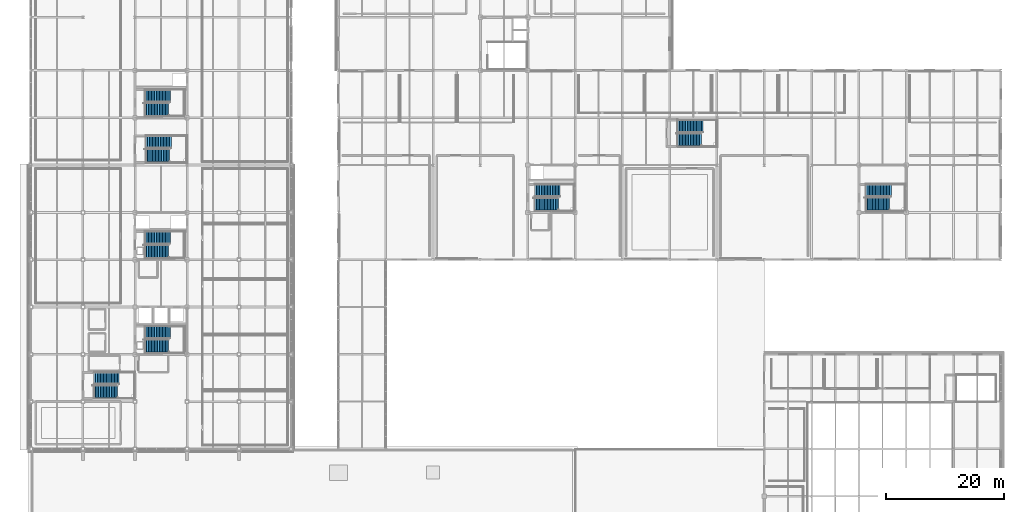
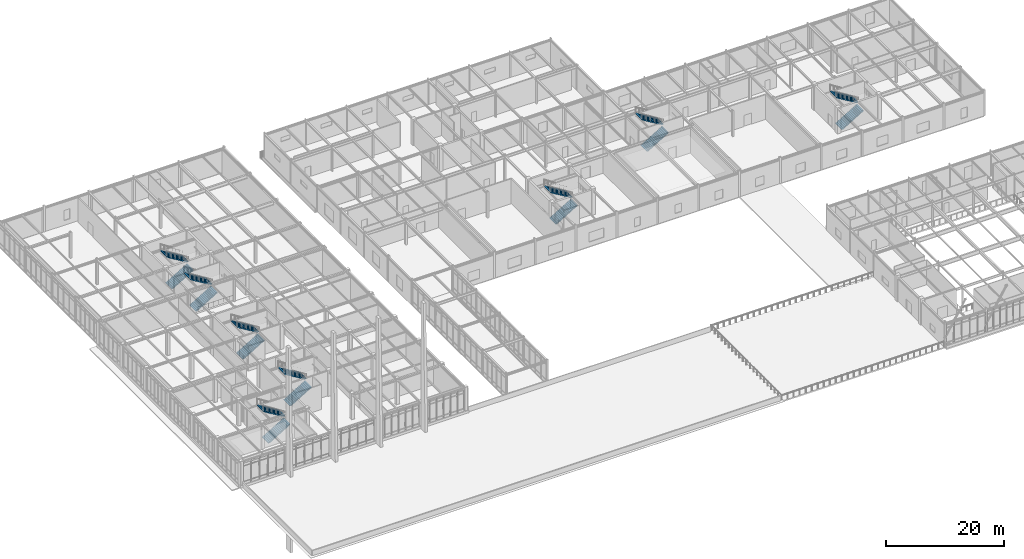
# One storey, part 96 of 108: 16 stair flights, 8 elements without a shape of their own.
"""IFC4 building model written with IfcOpenShell, lengths in metres."""

from ifc_helpers import new_model, si_unit, direction, frame, origin, place, context, subcontext, project, spatial, polyline, outline, extrude, material, type_object, element, aggregate, save


model = new_model("IFC4")

# Units and contexts
model_context = context("Model", 3, precision=1e-05, world=origin(), true_north=direction((0.0, 1.0)))
body_context = subcontext(model_context, "Body", "Model", "MODEL_VIEW")
ifc_project = project(units=[si_unit("LENGTHUNIT", "METRE"), si_unit("AREAUNIT", "SQUARE_METRE"), si_unit("VOLUMEUNIT", "CUBIC_METRE"), si_unit("PLANEANGLEUNIT", "RADIAN"), si_unit("MASSUNIT", "GRAM", prefix="KILO")], contexts=[model_context])

# Site, building, storey
site_placement = place(None, origin())
site = spatial("IfcSite", under=ifc_project, at=site_placement, CompositionType="ELEMENT")
building_placement = place(site_placement, origin())
building = spatial("IfcBuilding", under=site, at=building_placement, Name="Zhaolan Boulevard Law Courts", CompositionType="ELEMENT")
storey_placement = place(building_placement, frame((0.0, 0.0, 10.800048828125)))
storey = spatial("IfcBuildingStorey", under=building, at=storey_placement, Name="L02", CompositionType="ELEMENT", Elevation=10.800048828125)

# Stair, stair flights
ifc_material_1 = material(Name="Concrete C40", Category="concrete")
stair_type_1 = type_object("IfcStairType", Name="HALF TURN STAIR 54 A", PredefinedType="HALF_TURN_STAIR", material=ifc_material_1)
stair_1_placement = place(storey_placement, origin())
stair_1 = element("IfcStair", 1, at=stair_1_placement, inside=storey, type_object=stair_type_1, Name="Stair ST03-L02", PredefinedType="HALF_TURN_STAIR")
ifc_material_2 = material(Name="Concrete C40", Category="concrete")
stair_flight_type_1 = type_object("IfcStairFlightType", Name="STAIR FLIGHT 54 A", PredefinedType="STRAIGHT", material=ifc_material_2)
stair_flight_1_placement = place(storey_placement, frame((10.39990234375, 39.7451171875, 0.0), z_axis=(0.0, 0.0, 1.0), x_axis=(1.0, 0.0, 0.0)))
stair_flight_1 = element("IfcStairFlight", 2, at=stair_flight_1_placement, type_object=stair_flight_type_1, Name="Stair Flight ST03-L02-F1", NumberOfRisers=17, NumberOfTreads=16, PredefinedType="STRAIGHT", RiserHeight=0.158823529, TreadLength=0.265, context=body_context, shape_type="SweptSolid", body=[
    extrude(outline(polyline([(0.0, 0.0), (0.0, 0.158935546875), (0.264892578125, 0.158935546875), (0.264892578125, 0.317626953125), (0.530029296875, 0.317626953125), (0.530029296875, 0.4765625), (0.794921875, 0.4765625), (0.794921875, 0.63525390625), (1.06005859375, 0.63525390625), (1.06005859375, 0.794189453125), (1.324951171875, 0.794189453125), (1.324951171875, 0.952880859375), (1.590087890625, 0.952880859375), (1.590087890625, 1.11181640625), (1.85498046875, 1.11181640625), (1.85498046875, 1.2705078125), (2.1201171875, 1.2705078125), (2.1201171875, 1.429443359375), (2.385009765625, 1.429443359375), (2.385009765625, 1.588134765625), (2.64990234375, 1.588134765625), (2.64990234375, 1.7470703125), (2.9150390625, 1.7470703125), (2.9150390625, 1.90576171875), (3.179931640625, 1.90576171875), (3.179931640625, 2.064697265625), (3.445068359375, 2.064697265625), (3.445068359375, 2.2236328125), (3.7099609375, 2.2236328125), (3.7099609375, 2.38232421875), (3.97509765625, 2.38232421875), (3.97509765625, 2.541259765625), (4.239990234375, 2.541259765625), (4.239990234375, 2.699951171875), (4.239990234375, 2.354736328125), (0.31103515625, 0.0), (0.0, 0.0)])), frame((0.0, 1.06494140625, 0.0), z_axis=(0.0, -1.0, 0.0), x_axis=(1.0, 0.0, 0.0)), (0.0, 0.0, 1.0), 2.1298828125),
])
stair_flight_2_placement = place(storey_placement, frame((14.925048828125, 41.97509765625, 2.699951171875), z_axis=(0.0, 0.0, 1.0), x_axis=(-1.0, 0.0, 0.0)))
stair_flight_2 = element("IfcStairFlight", 3, at=stair_flight_2_placement, type_object=stair_flight_type_1, Name="Stair Flight ST03-L02-F2", NumberOfRisers=17, NumberOfTreads=16, PredefinedType="STRAIGHT", RiserHeight=0.158823529, TreadLength=0.265, context=body_context, shape_type="SweptSolid", body=[
    extrude(outline(polyline([(0.0, 0.0), (0.0, 0.158935546875), (0.264892578125, 0.158935546875), (0.264892578125, 0.317626953125), (0.530029296875, 0.317626953125), (0.530029296875, 0.4765625), (0.794921875, 0.4765625), (0.794921875, 0.63525390625), (1.06005859375, 0.63525390625), (1.06005859375, 0.794189453125), (1.324951171875, 0.794189453125), (1.324951171875, 0.952880859375), (1.590087890625, 0.952880859375), (1.590087890625, 1.11181640625), (1.85498046875, 1.11181640625), (1.85498046875, 1.2705078125), (2.1201171875, 1.2705078125), (2.1201171875, 1.429443359375), (2.385009765625, 1.429443359375), (2.385009765625, 1.588134765625), (2.64990234375, 1.588134765625), (2.64990234375, 1.7470703125), (2.9150390625, 1.7470703125), (2.9150390625, 1.90576171875), (3.179931640625, 1.90576171875), (3.179931640625, 2.064697265625), (3.445068359375, 2.064697265625), (3.445068359375, 2.2236328125), (3.7099609375, 2.2236328125), (3.7099609375, 2.38232421875), (3.97509765625, 2.38232421875), (3.97509765625, 2.541259765625), (4.239990234375, 2.541259765625), (4.239990234375, 2.699951171875), (4.239990234375, 2.354736328125), (0.31103515625, 0.0), (0.0, 0.0)])), frame((0.0, 1.06494140625, 0.0), z_axis=(0.0, -1.0, 0.0), x_axis=(1.0, 0.0, 0.0)), (0.0, 0.0, 1.0), 2.1298828125),
])
aggregate(stair_1, [stair_flight_1, stair_flight_2])

stair_2_placement = place(storey_placement, origin())
stair_2 = element("IfcStair", 4, at=stair_2_placement, inside=storey, type_object=stair_type_1, Name="Stair ST08-L02", PredefinedType="HALF_TURN_STAIR")
stair_flight_3_placement = place(storey_placement, frame((84.949951171875, 71.445068359375, 0.0), z_axis=(0.0, 0.0, 1.0), x_axis=(1.0, 0.0, 0.0)))
stair_flight_3 = element("IfcStairFlight", 5, at=stair_flight_3_placement, type_object=stair_flight_type_1, Name="Stair Flight ST08-L02-F1", NumberOfRisers=17, NumberOfTreads=16, PredefinedType="STRAIGHT", RiserHeight=0.158823529, TreadLength=0.265, context=body_context, shape_type="SweptSolid", body=[
    extrude(outline(polyline([(0.0, 0.0), (0.0, 0.158935546875), (0.264892578125, 0.158935546875), (0.264892578125, 0.317626953125), (0.530029296875, 0.317626953125), (0.530029296875, 0.4765625), (0.794921875, 0.4765625), (0.794921875, 0.63525390625), (1.06005859375, 0.63525390625), (1.06005859375, 0.794189453125), (1.324951171875, 0.794189453125), (1.324951171875, 0.952880859375), (1.590087890625, 0.952880859375), (1.590087890625, 1.11181640625), (1.85498046875, 1.11181640625), (1.85498046875, 1.2705078125), (2.1201171875, 1.2705078125), (2.1201171875, 1.429443359375), (2.385009765625, 1.429443359375), (2.385009765625, 1.588134765625), (2.64990234375, 1.588134765625), (2.64990234375, 1.7470703125), (2.9150390625, 1.7470703125), (2.9150390625, 1.90576171875), (3.179931640625, 1.90576171875), (3.179931640625, 2.064697265625), (3.445068359375, 2.064697265625), (3.445068359375, 2.2236328125), (3.7099609375, 2.2236328125), (3.7099609375, 2.38232421875), (3.97509765625, 2.38232421875), (3.97509765625, 2.541259765625), (4.239990234375, 2.541259765625), (4.239990234375, 2.699951171875), (4.239990234375, 2.354736328125), (0.31103515625, 0.0), (0.0, 0.0)])), frame((0.0, 1.06494140625, 0.0), z_axis=(0.0, -1.0, 0.0), x_axis=(1.0, 0.0, 0.0)), (0.0, 0.0, 1.0), 2.1298828125),
])
stair_flight_4_placement = place(storey_placement, frame((89.47509765625, 73.675048828125, 2.699951171875), z_axis=(0.0, 0.0, 1.0), x_axis=(-1.0, 0.0, 0.0)))
stair_flight_4 = element("IfcStairFlight", 6, at=stair_flight_4_placement, type_object=stair_flight_type_1, Name="Stair Flight ST08-L02-F2", NumberOfRisers=17, NumberOfTreads=16, PredefinedType="STRAIGHT", RiserHeight=0.158823529, TreadLength=0.265, context=body_context, shape_type="SweptSolid", body=[
    extrude(outline(polyline([(0.0, 0.0), (0.0, 0.158935546875), (0.264892578125, 0.158935546875), (0.264892578125, 0.317626953125), (0.530029296875, 0.317626953125), (0.530029296875, 0.4765625), (0.794921875, 0.4765625), (0.794921875, 0.63525390625), (1.06005859375, 0.63525390625), (1.06005859375, 0.794189453125), (1.324951171875, 0.794189453125), (1.324951171875, 0.952880859375), (1.590087890625, 0.952880859375), (1.590087890625, 1.11181640625), (1.85498046875, 1.11181640625), (1.85498046875, 1.2705078125), (2.1201171875, 1.2705078125), (2.1201171875, 1.429443359375), (2.385009765625, 1.429443359375), (2.385009765625, 1.588134765625), (2.64990234375, 1.588134765625), (2.64990234375, 1.7470703125), (2.9150390625, 1.7470703125), (2.9150390625, 1.90576171875), (3.179931640625, 1.90576171875), (3.179931640625, 2.064697265625), (3.445068359375, 2.064697265625), (3.445068359375, 2.2236328125), (3.7099609375, 2.2236328125), (3.7099609375, 2.38232421875), (3.97509765625, 2.38232421875), (3.97509765625, 2.541259765625), (4.239990234375, 2.541259765625), (4.239990234375, 2.699951171875), (4.239990234375, 2.354736328125), (0.31103515625, 0.0), (0.0, 0.0)])), frame((0.0, 1.06494140625, 0.0), z_axis=(0.0, -1.0, 0.0), x_axis=(1.0, 0.0, 0.0)), (0.0, 0.0, 1.0), 2.1298828125),
])
aggregate(stair_2, [stair_flight_3, stair_flight_4])

stair_3_placement = place(storey_placement, origin())
stair_3 = element("IfcStair", 7, at=stair_3_placement, inside=storey, type_object=stair_type_1, Name="Stair ST10-L02", PredefinedType="HALF_TURN_STAIR")
stair_flight_5_placement = place(storey_placement, frame((19.050048828125, 87.445068359375, 0.0), z_axis=(0.0, 0.0, 1.0), x_axis=(1.0, 0.0, 0.0)))
stair_flight_5 = element("IfcStairFlight", 8, at=stair_flight_5_placement, type_object=stair_flight_type_1, Name="Stair Flight ST10-L02-F1", NumberOfRisers=17, NumberOfTreads=16, PredefinedType="STRAIGHT", RiserHeight=0.158823529, TreadLength=0.265, context=body_context, shape_type="SweptSolid", body=[
    extrude(outline(polyline([(0.0, 0.0), (0.0, 0.158935546875), (0.264892578125, 0.158935546875), (0.264892578125, 0.317626953125), (0.530029296875, 0.317626953125), (0.530029296875, 0.4765625), (0.794921875, 0.4765625), (0.794921875, 0.63525390625), (1.06005859375, 0.63525390625), (1.06005859375, 0.794189453125), (1.324951171875, 0.794189453125), (1.324951171875, 0.952880859375), (1.590087890625, 0.952880859375), (1.590087890625, 1.11181640625), (1.85498046875, 1.11181640625), (1.85498046875, 1.2705078125), (2.1201171875, 1.2705078125), (2.1201171875, 1.429443359375), (2.385009765625, 1.429443359375), (2.385009765625, 1.588134765625), (2.64990234375, 1.588134765625), (2.64990234375, 1.7470703125), (2.9150390625, 1.7470703125), (2.9150390625, 1.90576171875), (3.179931640625, 1.90576171875), (3.179931640625, 2.064697265625), (3.445068359375, 2.064697265625), (3.445068359375, 2.2236328125), (3.7099609375, 2.2236328125), (3.7099609375, 2.38232421875), (3.97509765625, 2.38232421875), (3.97509765625, 2.541259765625), (4.239990234375, 2.541259765625), (4.239990234375, 2.699951171875), (4.239990234375, 2.354736328125), (0.31103515625, 0.0), (0.0, 0.0)])), frame((0.0, 1.06494140625, 0.0), z_axis=(0.0, -1.0, 0.0), x_axis=(1.0, 0.0, 0.0)), (0.0, 0.0, 1.0), 2.1298828125),
])
stair_flight_6_placement = place(storey_placement, frame((23.574951171875, 89.675048828125, 2.699951171875), z_axis=(0.0, 0.0, 1.0), x_axis=(-1.0, 0.0, 0.0)))
stair_flight_6 = element("IfcStairFlight", 9, at=stair_flight_6_placement, type_object=stair_flight_type_1, Name="Stair Flight ST10-L02-F2", NumberOfRisers=17, NumberOfTreads=16, PredefinedType="STRAIGHT", RiserHeight=0.158823529, TreadLength=0.265, context=body_context, shape_type="SweptSolid", body=[
    extrude(outline(polyline([(0.0, 0.0), (0.0, 0.158935546875), (0.264892578125, 0.158935546875), (0.264892578125, 0.317626953125), (0.530029296875, 0.317626953125), (0.530029296875, 0.4765625), (0.794921875, 0.4765625), (0.794921875, 0.63525390625), (1.06005859375, 0.63525390625), (1.06005859375, 0.794189453125), (1.324951171875, 0.794189453125), (1.324951171875, 0.952880859375), (1.590087890625, 0.952880859375), (1.590087890625, 1.11181640625), (1.85498046875, 1.11181640625), (1.85498046875, 1.2705078125), (2.1201171875, 1.2705078125), (2.1201171875, 1.429443359375), (2.385009765625, 1.429443359375), (2.385009765625, 1.588134765625), (2.64990234375, 1.588134765625), (2.64990234375, 1.7470703125), (2.9150390625, 1.7470703125), (2.9150390625, 1.90576171875), (3.179931640625, 1.90576171875), (3.179931640625, 2.064697265625), (3.445068359375, 2.064697265625), (3.445068359375, 2.2236328125), (3.7099609375, 2.2236328125), (3.7099609375, 2.38232421875), (3.97509765625, 2.38232421875), (3.97509765625, 2.541259765625), (4.239990234375, 2.541259765625), (4.239990234375, 2.699951171875), (4.239990234375, 2.354736328125), (0.31103515625, 0.0), (0.0, 0.0)])), frame((0.0, 1.06494140625, 0.0), z_axis=(0.0, -1.0, 0.0), x_axis=(1.0, 0.0, 0.0)), (0.0, 0.0, 1.0), 2.1298828125),
])
aggregate(stair_3, [stair_flight_5, stair_flight_6])

stair_4_placement = place(storey_placement, origin())
stair_4 = element("IfcStair", 10, at=stair_4_placement, inside=storey, type_object=stair_type_1, Name="Stair ST13-L02", PredefinedType="HALF_TURN_STAIR")
stair_flight_7_placement = place(storey_placement, frame((109.10009765625, 82.344970703125, 0.0), z_axis=(0.0, 0.0, 1.0), x_axis=(1.0, 0.0, 0.0)))
stair_flight_7 = element("IfcStairFlight", 11, at=stair_flight_7_placement, type_object=stair_flight_type_1, Name="Stair Flight ST13-L02-F1", NumberOfRisers=17, NumberOfTreads=16, PredefinedType="STRAIGHT", RiserHeight=0.158823529, TreadLength=0.265, context=body_context, shape_type="SweptSolid", body=[
    extrude(outline(polyline([(0.0, 0.0), (0.0, 0.158935546875), (0.264892578125, 0.158935546875), (0.264892578125, 0.317626953125), (0.530029296875, 0.317626953125), (0.530029296875, 0.4765625), (0.794921875, 0.4765625), (0.794921875, 0.63525390625), (1.06005859375, 0.63525390625), (1.06005859375, 0.794189453125), (1.324951171875, 0.794189453125), (1.324951171875, 0.952880859375), (1.590087890625, 0.952880859375), (1.590087890625, 1.11181640625), (1.85498046875, 1.11181640625), (1.85498046875, 1.2705078125), (2.1201171875, 1.2705078125), (2.1201171875, 1.429443359375), (2.385009765625, 1.429443359375), (2.385009765625, 1.588134765625), (2.64990234375, 1.588134765625), (2.64990234375, 1.7470703125), (2.9150390625, 1.7470703125), (2.9150390625, 1.90576171875), (3.179931640625, 1.90576171875), (3.179931640625, 2.064697265625), (3.445068359375, 2.064697265625), (3.445068359375, 2.2236328125), (3.7099609375, 2.2236328125), (3.7099609375, 2.38232421875), (3.97509765625, 2.38232421875), (3.97509765625, 2.541259765625), (4.239990234375, 2.541259765625), (4.239990234375, 2.699951171875), (4.239990234375, 2.354736328125), (0.31103515625, 0.0), (0.0, 0.0)])), frame((0.0, 1.06494140625, 0.0), z_axis=(0.0, -1.0, 0.0), x_axis=(1.0, 0.0, 0.0)), (0.0, 0.0, 1.0), 2.1298828125),
])
stair_flight_8_placement = place(storey_placement, frame((113.625, 84.574951171875, 2.699951171875), z_axis=(0.0, 0.0, 1.0), x_axis=(-1.0, 0.0, 0.0)))
stair_flight_8 = element("IfcStairFlight", 12, at=stair_flight_8_placement, type_object=stair_flight_type_1, Name="Stair Flight ST13-L02-F2", NumberOfRisers=17, NumberOfTreads=16, PredefinedType="STRAIGHT", RiserHeight=0.158823529, TreadLength=0.265, context=body_context, shape_type="SweptSolid", body=[
    extrude(outline(polyline([(0.0, 0.0), (0.0, 0.158935546875), (0.264892578125, 0.158935546875), (0.264892578125, 0.317626953125), (0.530029296875, 0.317626953125), (0.530029296875, 0.4765625), (0.794921875, 0.4765625), (0.794921875, 0.63525390625), (1.06005859375, 0.63525390625), (1.06005859375, 0.794189453125), (1.324951171875, 0.794189453125), (1.324951171875, 0.952880859375), (1.590087890625, 0.952880859375), (1.590087890625, 1.11181640625), (1.85498046875, 1.11181640625), (1.85498046875, 1.2705078125), (2.1201171875, 1.2705078125), (2.1201171875, 1.429443359375), (2.385009765625, 1.429443359375), (2.385009765625, 1.588134765625), (2.64990234375, 1.588134765625), (2.64990234375, 1.7470703125), (2.9150390625, 1.7470703125), (2.9150390625, 1.90576171875), (3.179931640625, 1.90576171875), (3.179931640625, 2.064697265625), (3.445068359375, 2.064697265625), (3.445068359375, 2.2236328125), (3.7099609375, 2.2236328125), (3.7099609375, 2.38232421875), (3.97509765625, 2.38232421875), (3.97509765625, 2.541259765625), (4.239990234375, 2.541259765625), (4.239990234375, 2.699951171875), (4.239990234375, 2.354736328125), (0.31103515625, 0.0), (0.0, 0.0)])), frame((0.0, 1.06494140625, 0.0), z_axis=(0.0, -1.0, 0.0), x_axis=(1.0, 0.0, 0.0)), (0.0, 0.0, 1.0), 2.1298828125),
])
aggregate(stair_4, [stair_flight_7, stair_flight_8])

ifc_material_3 = material(Name="Concrete C40", Category="concrete")
stair_type_2 = type_object("IfcStairType", Name="HALF TURN STAIR 54 B", PredefinedType="HALF_TURN_STAIR", material=ifc_material_3)
stair_5_placement = place(storey_placement, origin())
stair_5 = element("IfcStair", 13, at=stair_5_placement, inside=storey, type_object=stair_type_2, Name="Stair ST01-L02", PredefinedType="HALF_TURN_STAIR")
ifc_material_4 = material(Name="Concrete C40", Category="concrete")
stair_flight_type_2 = type_object("IfcStairFlightType", Name="STAIR FLIGHT 54 B", PredefinedType="STRAIGHT", material=ifc_material_4)
stair_flight_9_placement = place(storey_placement, frame((19.050048828125, 47.4599609375, 0.0), z_axis=(0.0, 0.0, 1.0), x_axis=(1.0, 0.0, 0.0)))
stair_flight_9 = element("IfcStairFlight", 14, at=stair_flight_9_placement, type_object=stair_flight_type_2, Name="Stair Flight ST01-L02-F1", NumberOfRisers=17, NumberOfTreads=16, PredefinedType="STRAIGHT", RiserHeight=0.158823529, TreadLength=0.265, context=body_context, shape_type="SweptSolid", body=[
    extrude(outline(polyline([(0.0, 0.0), (0.0, 0.158935546875), (0.264892578125, 0.158935546875), (0.264892578125, 0.317626953125), (0.530029296875, 0.317626953125), (0.530029296875, 0.4765625), (0.794921875, 0.4765625), (0.794921875, 0.63525390625), (1.06005859375, 0.63525390625), (1.06005859375, 0.794189453125), (1.324951171875, 0.794189453125), (1.324951171875, 0.952880859375), (1.590087890625, 0.952880859375), (1.590087890625, 1.11181640625), (1.85498046875, 1.11181640625), (1.85498046875, 1.2705078125), (2.1201171875, 1.2705078125), (2.1201171875, 1.429443359375), (2.385009765625, 1.429443359375), (2.385009765625, 1.588134765625), (2.64990234375, 1.588134765625), (2.64990234375, 1.7470703125), (2.9150390625, 1.7470703125), (2.9150390625, 1.90576171875), (3.179931640625, 1.90576171875), (3.179931640625, 2.064697265625), (3.445068359375, 2.064697265625), (3.445068359375, 2.2236328125), (3.7099609375, 2.2236328125), (3.7099609375, 2.38232421875), (3.97509765625, 2.38232421875), (3.97509765625, 2.541259765625), (4.239990234375, 2.541259765625), (4.239990234375, 2.699951171875), (4.239990234375, 2.354736328125), (0.31103515625, 0.0), (0.0, 0.0)])), frame((0.0, 1.080078125, 0.0), z_axis=(0.0, -1.0, 0.0), x_axis=(1.0, 0.0, 0.0)), (0.0, 0.0, 1.0), 2.159912109375),
])
stair_flight_10_placement = place(storey_placement, frame((23.574951171875, 49.719970703125, 2.699951171875), z_axis=(0.0, 0.0, 1.0), x_axis=(-1.0, 0.0, 0.0)))
stair_flight_10 = element("IfcStairFlight", 15, at=stair_flight_10_placement, type_object=stair_flight_type_2, Name="Stair Flight ST01-L02-F2", NumberOfRisers=17, NumberOfTreads=16, PredefinedType="STRAIGHT", RiserHeight=0.158823529, TreadLength=0.265, context=body_context, shape_type="SweptSolid", body=[
    extrude(outline(polyline([(0.0, 0.0), (0.0, 0.158935546875), (0.264892578125, 0.158935546875), (0.264892578125, 0.317626953125), (0.530029296875, 0.317626953125), (0.530029296875, 0.4765625), (0.794921875, 0.4765625), (0.794921875, 0.63525390625), (1.06005859375, 0.63525390625), (1.06005859375, 0.794189453125), (1.324951171875, 0.794189453125), (1.324951171875, 0.952880859375), (1.590087890625, 0.952880859375), (1.590087890625, 1.11181640625), (1.85498046875, 1.11181640625), (1.85498046875, 1.2705078125), (2.1201171875, 1.2705078125), (2.1201171875, 1.429443359375), (2.385009765625, 1.429443359375), (2.385009765625, 1.588134765625), (2.64990234375, 1.588134765625), (2.64990234375, 1.7470703125), (2.9150390625, 1.7470703125), (2.9150390625, 1.90576171875), (3.179931640625, 1.90576171875), (3.179931640625, 2.064697265625), (3.445068359375, 2.064697265625), (3.445068359375, 2.2236328125), (3.7099609375, 2.2236328125), (3.7099609375, 2.38232421875), (3.97509765625, 2.38232421875), (3.97509765625, 2.541259765625), (4.239990234375, 2.541259765625), (4.239990234375, 2.699951171875), (4.239990234375, 2.354736328125), (0.31103515625, 0.0), (0.0, 0.0)])), frame((0.0, 1.080078125, 0.0), z_axis=(0.0, -1.0, 0.0), x_axis=(1.0, 0.0, 0.0)), (0.0, 0.0, 1.0), 2.159912109375),
])
aggregate(stair_5, [stair_flight_9, stair_flight_10])

stair_6_placement = place(storey_placement, origin())
stair_6 = element("IfcStair", 16, at=stair_6_placement, inside=storey, type_object=stair_type_2, Name="Stair ST02-L02", PredefinedType="HALF_TURN_STAIR")
stair_flight_11_placement = place(storey_placement, frame((19.050048828125, 63.4599609375, 0.0), z_axis=(0.0, 0.0, 1.0), x_axis=(1.0, 0.0, 0.0)))
stair_flight_11 = element("IfcStairFlight", 17, at=stair_flight_11_placement, type_object=stair_flight_type_2, Name="Stair Flight ST02-L02-F1", NumberOfRisers=17, NumberOfTreads=16, PredefinedType="STRAIGHT", RiserHeight=0.158823529, TreadLength=0.265, context=body_context, shape_type="SweptSolid", body=[
    extrude(outline(polyline([(0.0, 0.0), (0.0, 0.158935546875), (0.264892578125, 0.158935546875), (0.264892578125, 0.317626953125), (0.530029296875, 0.317626953125), (0.530029296875, 0.4765625), (0.794921875, 0.4765625), (0.794921875, 0.63525390625), (1.06005859375, 0.63525390625), (1.06005859375, 0.794189453125), (1.324951171875, 0.794189453125), (1.324951171875, 0.952880859375), (1.590087890625, 0.952880859375), (1.590087890625, 1.11181640625), (1.85498046875, 1.11181640625), (1.85498046875, 1.2705078125), (2.1201171875, 1.2705078125), (2.1201171875, 1.429443359375), (2.385009765625, 1.429443359375), (2.385009765625, 1.588134765625), (2.64990234375, 1.588134765625), (2.64990234375, 1.7470703125), (2.9150390625, 1.7470703125), (2.9150390625, 1.90576171875), (3.179931640625, 1.90576171875), (3.179931640625, 2.064697265625), (3.445068359375, 2.064697265625), (3.445068359375, 2.2236328125), (3.7099609375, 2.2236328125), (3.7099609375, 2.38232421875), (3.97509765625, 2.38232421875), (3.97509765625, 2.541259765625), (4.239990234375, 2.541259765625), (4.239990234375, 2.699951171875), (4.239990234375, 2.354736328125), (0.31103515625, 0.0), (0.0, 0.0)])), frame((0.0, 1.080078125, 0.0), z_axis=(0.0, -1.0, 0.0), x_axis=(1.0, 0.0, 0.0)), (0.0, 0.0, 1.0), 2.159912109375),
])
stair_flight_12_placement = place(storey_placement, frame((23.574951171875, 65.719970703125, 2.699951171875), z_axis=(0.0, 0.0, 1.0), x_axis=(-1.0, 0.0, 0.0)))
stair_flight_12 = element("IfcStairFlight", 18, at=stair_flight_12_placement, type_object=stair_flight_type_2, Name="Stair Flight ST02-L02-F2", NumberOfRisers=17, NumberOfTreads=16, PredefinedType="STRAIGHT", RiserHeight=0.158823529, TreadLength=0.265, context=body_context, shape_type="SweptSolid", body=[
    extrude(outline(polyline([(0.0, 0.0), (0.0, 0.158935546875), (0.264892578125, 0.158935546875), (0.264892578125, 0.317626953125), (0.530029296875, 0.317626953125), (0.530029296875, 0.4765625), (0.794921875, 0.4765625), (0.794921875, 0.63525390625), (1.06005859375, 0.63525390625), (1.06005859375, 0.794189453125), (1.324951171875, 0.794189453125), (1.324951171875, 0.952880859375), (1.590087890625, 0.952880859375), (1.590087890625, 1.11181640625), (1.85498046875, 1.11181640625), (1.85498046875, 1.2705078125), (2.1201171875, 1.2705078125), (2.1201171875, 1.429443359375), (2.385009765625, 1.429443359375), (2.385009765625, 1.588134765625), (2.64990234375, 1.588134765625), (2.64990234375, 1.7470703125), (2.9150390625, 1.7470703125), (2.9150390625, 1.90576171875), (3.179931640625, 1.90576171875), (3.179931640625, 2.064697265625), (3.445068359375, 2.064697265625), (3.445068359375, 2.2236328125), (3.7099609375, 2.2236328125), (3.7099609375, 2.38232421875), (3.97509765625, 2.38232421875), (3.97509765625, 2.541259765625), (4.239990234375, 2.541259765625), (4.239990234375, 2.699951171875), (4.239990234375, 2.354736328125), (0.31103515625, 0.0), (0.0, 0.0)])), frame((0.0, 1.080078125, 0.0), z_axis=(0.0, -1.0, 0.0), x_axis=(1.0, 0.0, 0.0)), (0.0, 0.0, 1.0), 2.159912109375),
])
aggregate(stair_6, [stair_flight_11, stair_flight_12])

stair_7_placement = place(storey_placement, origin())
stair_7 = element("IfcStair", 19, at=stair_7_placement, inside=storey, type_object=stair_type_2, Name="Stair ST09-L02", PredefinedType="HALF_TURN_STAIR")
stair_flight_13_placement = place(storey_placement, frame((140.949951171875, 71.4599609375, 0.0), z_axis=(0.0, 0.0, 1.0), x_axis=(1.0, 0.0, 0.0)))
stair_flight_13 = element("IfcStairFlight", 20, at=stair_flight_13_placement, type_object=stair_flight_type_2, Name="Stair Flight ST09-L02-F1", NumberOfRisers=17, NumberOfTreads=16, PredefinedType="STRAIGHT", RiserHeight=0.158823529, TreadLength=0.265, context=body_context, shape_type="SweptSolid", body=[
    extrude(outline(polyline([(0.0, 0.0), (0.0, 0.158935546875), (0.264892578125, 0.158935546875), (0.264892578125, 0.317626953125), (0.530029296875, 0.317626953125), (0.530029296875, 0.4765625), (0.794921875, 0.4765625), (0.794921875, 0.63525390625), (1.06005859375, 0.63525390625), (1.06005859375, 0.794189453125), (1.324951171875, 0.794189453125), (1.324951171875, 0.952880859375), (1.590087890625, 0.952880859375), (1.590087890625, 1.11181640625), (1.85498046875, 1.11181640625), (1.85498046875, 1.2705078125), (2.1201171875, 1.2705078125), (2.1201171875, 1.429443359375), (2.385009765625, 1.429443359375), (2.385009765625, 1.588134765625), (2.64990234375, 1.588134765625), (2.64990234375, 1.7470703125), (2.9150390625, 1.7470703125), (2.9150390625, 1.90576171875), (3.179931640625, 1.90576171875), (3.179931640625, 2.064697265625), (3.445068359375, 2.064697265625), (3.445068359375, 2.2236328125), (3.7099609375, 2.2236328125), (3.7099609375, 2.38232421875), (3.97509765625, 2.38232421875), (3.97509765625, 2.541259765625), (4.239990234375, 2.541259765625), (4.239990234375, 2.699951171875), (4.239990234375, 2.354736328125), (0.31103515625, 0.0), (0.0, 0.0)])), frame((0.0, 1.080078125, 0.0), z_axis=(0.0, -1.0, 0.0), x_axis=(1.0, 0.0, 0.0)), (0.0, 0.0, 1.0), 2.159912109375),
])
stair_flight_14_placement = place(storey_placement, frame((145.47509765625, 73.719970703125, 2.699951171875), z_axis=(0.0, 0.0, 1.0), x_axis=(-1.0, 0.0, 0.0)))
stair_flight_14 = element("IfcStairFlight", 21, at=stair_flight_14_placement, type_object=stair_flight_type_2, Name="Stair Flight ST09-L02-F2", NumberOfRisers=17, NumberOfTreads=16, PredefinedType="STRAIGHT", RiserHeight=0.158823529, TreadLength=0.265, context=body_context, shape_type="SweptSolid", body=[
    extrude(outline(polyline([(0.0, 0.0), (0.0, 0.158935546875), (0.264892578125, 0.158935546875), (0.264892578125, 0.317626953125), (0.530029296875, 0.317626953125), (0.530029296875, 0.4765625), (0.794921875, 0.4765625), (0.794921875, 0.63525390625), (1.06005859375, 0.63525390625), (1.06005859375, 0.794189453125), (1.324951171875, 0.794189453125), (1.324951171875, 0.952880859375), (1.590087890625, 0.952880859375), (1.590087890625, 1.11181640625), (1.85498046875, 1.11181640625), (1.85498046875, 1.2705078125), (2.1201171875, 1.2705078125), (2.1201171875, 1.429443359375), (2.385009765625, 1.429443359375), (2.385009765625, 1.588134765625), (2.64990234375, 1.588134765625), (2.64990234375, 1.7470703125), (2.9150390625, 1.7470703125), (2.9150390625, 1.90576171875), (3.179931640625, 1.90576171875), (3.179931640625, 2.064697265625), (3.445068359375, 2.064697265625), (3.445068359375, 2.2236328125), (3.7099609375, 2.2236328125), (3.7099609375, 2.38232421875), (3.97509765625, 2.38232421875), (3.97509765625, 2.541259765625), (4.239990234375, 2.541259765625), (4.239990234375, 2.699951171875), (4.239990234375, 2.354736328125), (0.31103515625, 0.0), (0.0, 0.0)])), frame((0.0, 1.080078125, 0.0), z_axis=(0.0, -1.0, 0.0), x_axis=(1.0, 0.0, 0.0)), (0.0, 0.0, 1.0), 2.159912109375),
])
aggregate(stair_7, [stair_flight_13, stair_flight_14])

stair_8_placement = place(storey_placement, origin())
stair_8 = element("IfcStair", 22, at=stair_8_placement, inside=storey, type_object=stair_type_2, Name="Stair ST12-L02", PredefinedType="HALF_TURN_STAIR")
stair_flight_15_placement = place(storey_placement, frame((19.199951171875, 79.659912109375, 0.0), z_axis=(0.0, 0.0, 1.0), x_axis=(1.0, 0.0, 0.0)))
stair_flight_15 = element("IfcStairFlight", 23, at=stair_flight_15_placement, type_object=stair_flight_type_2, Name="Stair Flight ST12-L02-F1", NumberOfRisers=17, NumberOfTreads=16, PredefinedType="STRAIGHT", RiserHeight=0.158823529, TreadLength=0.265, context=body_context, shape_type="SweptSolid", body=[
    extrude(outline(polyline([(0.0, 0.0), (0.0, 0.158935546875), (0.264892578125, 0.158935546875), (0.264892578125, 0.317626953125), (0.530029296875, 0.317626953125), (0.530029296875, 0.4765625), (0.794921875, 0.4765625), (0.794921875, 0.63525390625), (1.06005859375, 0.63525390625), (1.06005859375, 0.794189453125), (1.324951171875, 0.794189453125), (1.324951171875, 0.952880859375), (1.590087890625, 0.952880859375), (1.590087890625, 1.11181640625), (1.85498046875, 1.11181640625), (1.85498046875, 1.2705078125), (2.1201171875, 1.2705078125), (2.1201171875, 1.429443359375), (2.385009765625, 1.429443359375), (2.385009765625, 1.588134765625), (2.64990234375, 1.588134765625), (2.64990234375, 1.7470703125), (2.9150390625, 1.7470703125), (2.9150390625, 1.90576171875), (3.179931640625, 1.90576171875), (3.179931640625, 2.064697265625), (3.445068359375, 2.064697265625), (3.445068359375, 2.2236328125), (3.7099609375, 2.2236328125), (3.7099609375, 2.38232421875), (3.97509765625, 2.38232421875), (3.97509765625, 2.541259765625), (4.239990234375, 2.541259765625), (4.239990234375, 2.699951171875), (4.239990234375, 2.354736328125), (0.31103515625, 0.0), (0.0, 0.0)])), frame((0.0, 1.080078125, 0.0), z_axis=(0.0, -1.0, 0.0), x_axis=(1.0, 0.0, 0.0)), (0.0, 0.0, 1.0), 2.159912109375),
])
stair_flight_16_placement = place(storey_placement, frame((23.72509765625, 81.919921875, 2.699951171875), z_axis=(0.0, 0.0, 1.0), x_axis=(-1.0, 0.0, 0.0)))
stair_flight_16 = element("IfcStairFlight", 24, at=stair_flight_16_placement, type_object=stair_flight_type_2, Name="Stair Flight ST12-L02-F2", NumberOfRisers=17, NumberOfTreads=16, PredefinedType="STRAIGHT", RiserHeight=0.158823529, TreadLength=0.265, context=body_context, shape_type="SweptSolid", body=[
    extrude(outline(polyline([(0.0, 0.0), (0.0, 0.158935546875), (0.264892578125, 0.158935546875), (0.264892578125, 0.317626953125), (0.530029296875, 0.317626953125), (0.530029296875, 0.4765625), (0.794921875, 0.4765625), (0.794921875, 0.63525390625), (1.06005859375, 0.63525390625), (1.06005859375, 0.794189453125), (1.324951171875, 0.794189453125), (1.324951171875, 0.952880859375), (1.590087890625, 0.952880859375), (1.590087890625, 1.11181640625), (1.85498046875, 1.11181640625), (1.85498046875, 1.2705078125), (2.1201171875, 1.2705078125), (2.1201171875, 1.429443359375), (2.385009765625, 1.429443359375), (2.385009765625, 1.588134765625), (2.64990234375, 1.588134765625), (2.64990234375, 1.7470703125), (2.9150390625, 1.7470703125), (2.9150390625, 1.90576171875), (3.179931640625, 1.90576171875), (3.179931640625, 2.064697265625), (3.445068359375, 2.064697265625), (3.445068359375, 2.2236328125), (3.7099609375, 2.2236328125), (3.7099609375, 2.38232421875), (3.97509765625, 2.38232421875), (3.97509765625, 2.541259765625), (4.239990234375, 2.541259765625), (4.239990234375, 2.699951171875), (4.239990234375, 2.354736328125), (0.31103515625, 0.0), (0.0, 0.0)])), frame((0.0, 1.080078125, 0.0), z_axis=(0.0, -1.0, 0.0), x_axis=(1.0, 0.0, 0.0)), (0.0, 0.0, 1.0), 2.159912109375),
])
aggregate(stair_8, [stair_flight_15, stair_flight_16])

save(model, "model.ifc")
